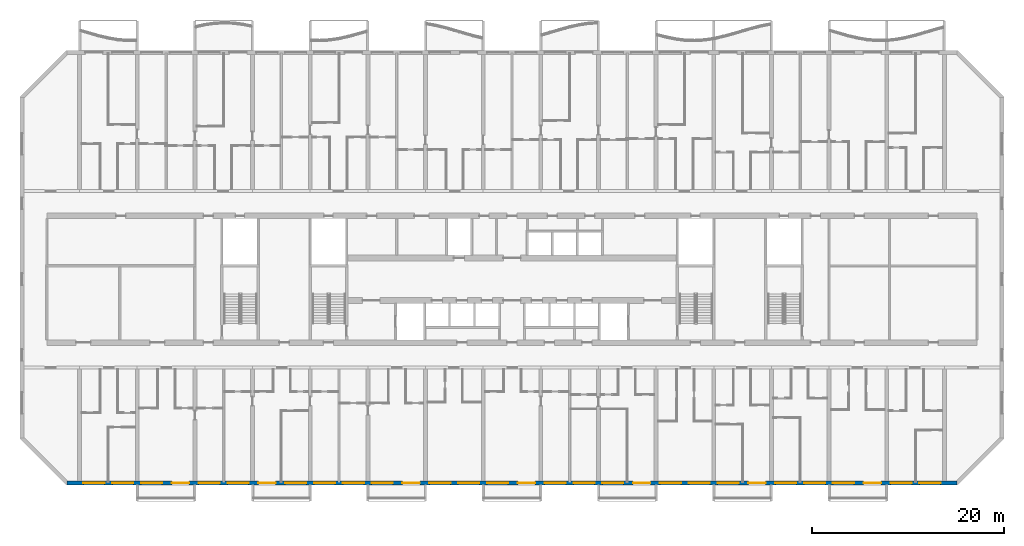
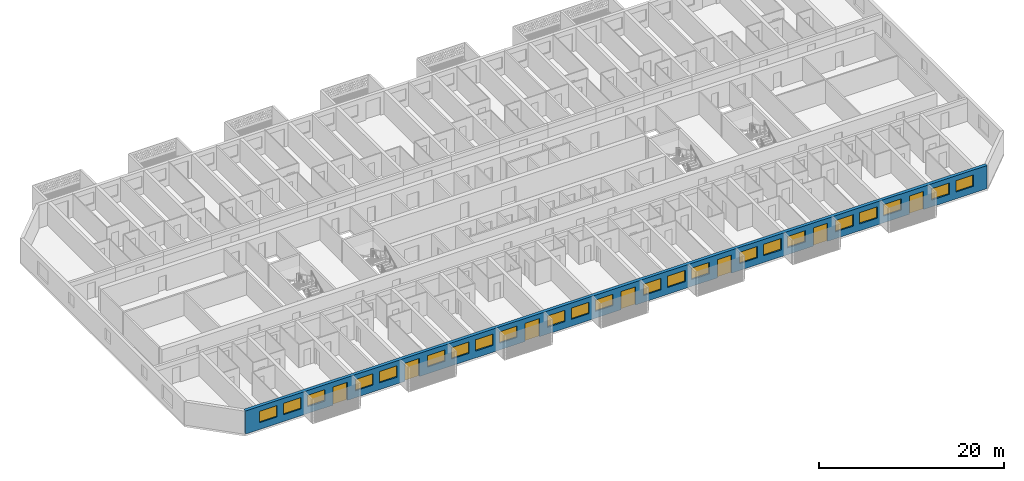
# One storey, part 5 of 38: 23 windows, 7 doors, 1 wall, 30 openings.
"""IFC4 building model written with IfcOpenShell, lengths in metres."""

import ifcopenshell
import ifcopenshell.guid

model = None  # the IFC model being written
_history = None  # IfcOwnerHistory: only IFC2X3 demands one
_inside = {}  # id of a spatial element -> (the spatial element, [elements in it])
_under = {}  # id of a project, library or spatial element -> (it, [spatial elements below it])
_declared = {}  # id of a project -> (the project, [libraries it declares])
_typed = {}  # id of a type object -> (the type object, [elements of that type])
_made_of = {}  # id of a material, layer set ... -> (it, [elements and type objects made of it])


def new_model(schema):
    """Start an empty IFC model of exactly this schema.

    Asked for "IFC4X3", IfcOpenShell would pick the latest addendum, in which some entities
    have other attributes; the version numbers below select the first issue.
    IFC2X3 requires an IfcOwnerHistory on every rooted entity: one is made here for all.
    """
    global model, _history
    if schema == "IFC4X3":
        model = ifcopenshell.file(schema_version=(4, 3, 0, 0))
    else:
        model = ifcopenshell.file(schema=schema)
    _inside.clear()
    _under.clear()
    _declared.clear()
    _typed.clear()
    _made_of.clear()
    _history = None
    if model.schema == "IFC2X3":
        org = make("IfcOrganization", Name="unknown")
        user = make(
            "IfcPersonAndOrganization",
            ThePerson=make("IfcPerson", FamilyName="unknown"),
            TheOrganization=org,
        )
        app = make(
            "IfcApplication",
            ApplicationDeveloper=org,
            Version="unknown",
            ApplicationFullName="unknown",
            ApplicationIdentifier="unknown",
        )
        _history = make(
            "IfcOwnerHistory",
            OwningUser=user,
            OwningApplication=app,
            ChangeAction="ADDED",
            CreationDate=0,
        )
    return model


def make(cls, **values):
    """One entity of the class cls with the attributes given. An attribute that is None is left unset."""
    return model.create_entity(
        cls, **{name: value for name, value in values.items() if value is not None}
    )


def rooted(cls, **values):
    """An entity with a GlobalId (a new one), such as an element, a storey or a relation."""
    return make(cls, GlobalId=ifcopenshell.guid.new(), OwnerHistory=_history, **values)


def si_unit(unit_type, name, prefix=None):
    """IfcSIUnit, for example si_unit("LENGTHUNIT", "METRE", prefix="MILLI")."""
    return make("IfcSIUnit", UnitType=unit_type, Prefix=prefix, Name=name)


def assignment(units):
    """IfcUnitAssignment: the units of a project."""
    return None if units is None else make("IfcUnitAssignment", Units=units)


def point(xyz):
    """IfcCartesianPoint."""
    return None if xyz is None else make("IfcCartesianPoint", Coordinates=xyz)


def direction(xyz):
    """IfcDirection."""
    return None if xyz is None else make("IfcDirection", DirectionRatios=xyz)


def frame(location, z_axis=None, x_axis=None):
    """IfcAxis2Placement3D, a coordinate frame: its origin and axes. An axis left out is left unset."""
    return make(
        "IfcAxis2Placement3D",
        Location=point(location),
        Axis=direction(z_axis),
        RefDirection=direction(x_axis),
    )


def frame_2d(location, x_axis=None):
    """IfcAxis2Placement2D, a coordinate frame in the plane: its origin and x axis."""
    return make(
        "IfcAxis2Placement2D", Location=point(location), RefDirection=direction(x_axis)
    )


def origin():
    """The frame at (0, 0, 0) with its axes left unset."""
    return frame((0.0, 0.0, 0.0))


def place(relative_to, where):
    """IfcLocalPlacement: puts the frame where relative to a parent placement (None: the world)."""
    return make(
        "IfcLocalPlacement", PlacementRelTo=relative_to, RelativePlacement=where
    )


def context(
    kind, dimensions, precision=None, world=None, true_north=None, identifier=None
):
    """IfcGeometricRepresentationContext, for example the 3D "Model" context."""
    return make(
        "IfcGeometricRepresentationContext",
        ContextIdentifier=identifier,
        ContextType=kind,
        CoordinateSpaceDimension=dimensions,
        Precision=precision,
        WorldCoordinateSystem=world,
        TrueNorth=true_north,
    )


def subcontext(parent, identifier, kind, view, scale=None):
    """IfcGeometricRepresentationSubContext, for example "Body" below "Model"."""
    return make(
        "IfcGeometricRepresentationSubContext",
        ContextIdentifier=identifier,
        ContextType=kind,
        ParentContext=parent,
        TargetScale=scale,
        TargetView=view,
    )


def project(units=None, contexts=None):
    """IfcProject with its units and contexts."""
    return rooted(
        "IfcProject",
        Name="project",
        RepresentationContexts=contexts,
        UnitsInContext=assignment(units),
    )


def spatial(cls, under=None, at=None, **own):
    """A site, building, storey or space (cls), placed at a placement, below another one or the project."""
    s = rooted(cls, ObjectPlacement=at, **own)
    if under is not None:
        _under.setdefault(under.id(), (under, []))[1].append(s)
    return s


def profile(cls, at=None, kind="AREA", **sizes):
    """A parametric profile (cls). Its sizes go by their IFC names, for example OverallWidth=200.0."""
    return make(cls, ProfileType=kind, Position=at, **sizes)


def rectangle(**sizes):
    """IfcRectangleProfileDef."""
    return profile("IfcRectangleProfileDef", **sizes)


def extrude(swept, where, along, depth):
    """IfcExtrudedAreaSolid: the profile swept, set in the frame where, extruded along a direction by depth."""
    return make(
        "IfcExtrudedAreaSolid",
        SweptArea=swept,
        Position=where,
        ExtrudedDirection=direction(along),
        Depth=depth,
    )


def shape(context_of_items, identifier, shape_type, items):
    """IfcShapeRepresentation: the items that make up one representation, for example the "Body"."""
    return make(
        "IfcShapeRepresentation",
        ContextOfItems=context_of_items,
        RepresentationIdentifier=identifier,
        RepresentationType=shape_type,
        Items=items,
    )


def material(Name=None, Category=None):
    """IfcMaterial."""
    return make("IfcMaterial", Name=Name, Category=Category)


def layer(
    of_material, thickness, ventilated=None, Name=None, Category=None, Priority=None
):
    """IfcMaterialLayer: one layer of a wall or slab, of a material (None: an air gap)."""
    return make(
        "IfcMaterialLayer",
        Material=of_material,
        LayerThickness=thickness,
        IsVentilated=ventilated,
        Name=Name,
        Category=Category,
        Priority=Priority,
    )


def layer_set(layers, Name=None):
    """IfcMaterialLayerSet."""
    return make("IfcMaterialLayerSet", MaterialLayers=layers, LayerSetName=Name)


def made_of(thing, what):
    """Note that an element or type object is made of a material, layer set ...; save() writes the relation."""
    if what is not None:
        _made_of.setdefault(what.id(), (what, []))[1].append(thing)
    return thing


def type_object(cls, material=None, **own):
    """A type object (cls), such as IfcWallType, which elements share."""
    return made_of(rooted(cls, **own), material)


def element(
    cls,
    number,
    at=None,
    inside=None,
    cuts=None,
    type_object=None,
    material=None,
    context=None,
    identifier="Body",
    shape_type=None,
    held_by="IfcProductDefinitionShape",
    body=None,
    shapes=None,
    **own,
):
    """One element of the class cls, such as IfcWall. Its Tag is "e" and its number.

    at: its placement. inside: the storey or other place that contains it. cuts: it is an
    opening in that element (IfcRelVoidsElement). A single representation is given by context,
    identifier, shape_type and body (its items); several are given by shapes. held_by: the class
    of the entity that holds the representations. save() writes the other relations.
    """
    e = rooted(cls, Tag="e%d" % number, ObjectPlacement=at, **own)
    if body is not None:
        shapes = [shape(context, identifier, shape_type, body)]
    if shapes is not None:
        e.Representation = make(held_by, Representations=shapes)
    if inside is not None:
        _inside.setdefault(inside.id(), (inside, []))[1].append(e)
    if cuts is not None:
        rooted(
            "IfcRelVoidsElement", RelatingBuildingElement=cuts, RelatedOpeningElement=e
        )
    if type_object is not None:
        _typed.setdefault(type_object.id(), (type_object, []))[1].append(e)
    return made_of(e, material)


def fill(opening, filler):
    """IfcRelFillsElement: the door or window that sits in an opening."""
    return rooted(
        "IfcRelFillsElement",
        RelatingOpeningElement=opening,
        RelatedBuildingElement=filler,
    )


def aggregate(whole, parts):
    """IfcRelAggregates: a whole, such as a stair, and the parts it consists of."""
    return rooted("IfcRelAggregates", RelatingObject=whole, RelatedObjects=parts)


def save(model, path):
    """Write the relations noted so far, then the file.

    IfcRelAggregates (storeys below a building ...), IfcRelContainedInSpatialStructure (elements
    in a storey), IfcRelDefinesByType, IfcRelAssociatesMaterial and IfcRelDeclares: one each for
    every whole, place, type object, material and project.
    """
    for whole, parts in _under.values():
        aggregate(whole, parts)
    for where, things in _inside.values():
        rooted(
            "IfcRelContainedInSpatialStructure",
            RelatedElements=things,
            RelatingStructure=where,
        )
    for kind, things in _typed.values():
        rooted("IfcRelDefinesByType", RelatedObjects=things, RelatingType=kind)
    for what, things in _made_of.values():
        rooted("IfcRelAssociatesMaterial", RelatedObjects=things, RelatingMaterial=what)
    for by, libraries in _declared.values():
        rooted("IfcRelDeclares", RelatingContext=by, RelatedDefinitions=libraries)
    model.write(path)


model = new_model("IFC4")

# Units and contexts
model_context = context("Model", 3, precision=1e-05, world=origin(), true_north=direction((0.0, 1.0)))
body_context = subcontext(model_context, "Body", "Model", "MODEL_VIEW")
ifc_project = project(units=[si_unit("LENGTHUNIT", "METRE"), si_unit("AREAUNIT", "SQUARE_METRE"), si_unit("VOLUMEUNIT", "CUBIC_METRE"), si_unit("PLANEANGLEUNIT", "RADIAN"), si_unit("MASSUNIT", "GRAM", prefix="KILO")], contexts=[model_context])

# Site, building, storey
site_placement = place(None, origin())
site = spatial("IfcSite", under=ifc_project, at=site_placement, CompositionType="ELEMENT")
building_placement = place(site_placement, origin())
building = spatial("IfcBuilding", under=site, at=building_placement, Name="Poui Terraces", CompositionType="ELEMENT")
storey_placement = place(building_placement, frame((0.0, 0.0, 43.199951171875)))
storey = spatial("IfcBuildingStorey", under=building, at=storey_placement, Name="L11", CompositionType="ELEMENT", Elevation=43.199951171875)

# Wall, openings, doors, windows
ifc_material_1 = material(Name="Precast concrete 40 MPa", Category="concrete")
ifc_layer = layer(ifc_material_1, 0.39990234375)
ifc_layer_set = layer_set([ifc_layer], Name="Precast concrete 40 MPa")
wall_type = type_object("IfcWallType", Name="EXTERNAL WALL 400", PredefinedType="STANDARD", material=ifc_layer_set)
wall_placement = place(storey_placement, frame((4.682861328125, 0.0, 0.0), z_axis=(0.0, 0.0, 1.0), x_axis=(1.0, 0.0, 0.0)))
wall = element("IfcWall", 1, at=wall_placement, inside=storey, type_object=wall_type, Name="EXTERNAL WALL S", PredefinedType="STANDARD", context=body_context, shape_type="SweptSolid", body=[
    extrude(rectangle(XDim=92.63427734375, YDim=0.39990234375, at=frame_2d((46.317138671875, 0.0))), origin(), (0.0, 0.0, 1.0), 3.050048828125),
])
opening_1_placement = place(wall_placement, frame((1.71728515625, 0.0, 0.89990234375)))
opening_1 = element("IfcOpeningElement", 2, at=opening_1_placement, cuts=wall, Name="Opening W1", PredefinedType="OPENING", context=body_context, shape_type="SweptSolid", body=[
    extrude(rectangle(XDim=2.199951171875, YDim=1.5, at=frame_2d((1.10009765625, 0.75))), frame((0.0, 0.2099609375, 0.0), z_axis=(0.0, -1.0, 0.0), x_axis=(1.0, 0.0, 0.0)), (0.0, 0.0, 1.0), 0.419921875),
])
opening_2_placement = place(wall_placement, frame((4.71728515625, 0.0, 0.89990234375)))
opening_2 = element("IfcOpeningElement", 3, at=opening_2_placement, cuts=wall, Name="Opening W1", PredefinedType="OPENING", context=body_context, shape_type="SweptSolid", body=[
    extrude(rectangle(XDim=2.199951171875, YDim=1.5, at=frame_2d((1.10009765625, 0.75))), frame((0.0, 0.2099609375, 0.0), z_axis=(0.0, -1.0, 0.0), x_axis=(1.0, 0.0, 0.0)), (0.0, 0.0, 1.0), 0.419921875),
])
opening_3_placement = place(wall_placement, frame((7.71728515625, 0.0, 0.89990234375)))
opening_3 = element("IfcOpeningElement", 4, at=opening_3_placement, cuts=wall, Name="Opening W1", PredefinedType="OPENING", context=body_context, shape_type="SweptSolid", body=[
    extrude(rectangle(XDim=2.199951171875, YDim=1.5, at=frame_2d((1.10009765625, 0.75))), frame((0.0, 0.2099609375, 0.0), z_axis=(0.0, -1.0, 0.0), x_axis=(1.0, 0.0, 0.0)), (0.0, 0.0, 1.0), 0.419921875),
])
opening_4_placement = place(wall_placement, frame((10.917236328125, 0.0, 0.0)))
opening_4 = element("IfcOpeningElement", 5, at=opening_4_placement, cuts=wall, Name="Opening BD1", PredefinedType="OPENING", context=body_context, shape_type="SweptSolid", body=[
    extrude(rectangle(XDim=1.800048828125, YDim=2.39990234375, at=frame_2d((0.89990234375, 1.199951171875))), frame((0.0, 0.2099609375, 0.0), z_axis=(0.0, -1.0, 0.0), x_axis=(1.0, 0.0, 0.0)), (0.0, 0.0, 1.0), 0.419921875),
])
opening_5_placement = place(wall_placement, frame((13.71728515625, 0.0, 0.89990234375)))
opening_5 = element("IfcOpeningElement", 6, at=opening_5_placement, cuts=wall, Name="Opening W1", PredefinedType="OPENING", context=body_context, shape_type="SweptSolid", body=[
    extrude(rectangle(XDim=2.199951171875, YDim=1.5, at=frame_2d((1.10009765625, 0.75))), frame((0.0, 0.2099609375, 0.0), z_axis=(0.0, -1.0, 0.0), x_axis=(1.0, 0.0, 0.0)), (0.0, 0.0, 1.0), 0.419921875),
])
opening_6_placement = place(wall_placement, frame((16.71728515625, 0.0, 0.89990234375)))
opening_6 = element("IfcOpeningElement", 7, at=opening_6_placement, cuts=wall, Name="Opening W1", PredefinedType="OPENING", context=body_context, shape_type="SweptSolid", body=[
    extrude(rectangle(XDim=2.199951171875, YDim=1.5, at=frame_2d((1.10009765625, 0.75))), frame((0.0, 0.2099609375, 0.0), z_axis=(0.0, -1.0, 0.0), x_axis=(1.0, 0.0, 0.0)), (0.0, 0.0, 1.0), 0.419921875),
])
opening_7_placement = place(wall_placement, frame((19.917236328125, 0.0, 0.0)))
opening_7 = element("IfcOpeningElement", 8, at=opening_7_placement, cuts=wall, Name="Opening BD1", PredefinedType="OPENING", context=body_context, shape_type="SweptSolid", body=[
    extrude(rectangle(XDim=1.800048828125, YDim=2.39990234375, at=frame_2d((0.89990234375, 1.199951171875))), frame((0.0, 0.2099609375, 0.0), z_axis=(0.0, -1.0, 0.0), x_axis=(1.0, 0.0, 0.0)), (0.0, 0.0, 1.0), 0.419921875),
])
opening_8_placement = place(wall_placement, frame((22.71728515625, 0.0, 0.89990234375)))
opening_8 = element("IfcOpeningElement", 9, at=opening_8_placement, cuts=wall, Name="Opening W1", PredefinedType="OPENING", context=body_context, shape_type="SweptSolid", body=[
    extrude(rectangle(XDim=2.199951171875, YDim=1.5, at=frame_2d((1.10009765625, 0.75))), frame((0.0, 0.2099609375, 0.0), z_axis=(0.0, -1.0, 0.0), x_axis=(1.0, 0.0, 0.0)), (0.0, 0.0, 1.0), 0.419921875),
])
opening_9_placement = place(wall_placement, frame((25.71728515625, 0.0, 0.89990234375)))
opening_9 = element("IfcOpeningElement", 10, at=opening_9_placement, cuts=wall, Name="Opening W1", PredefinedType="OPENING", context=body_context, shape_type="SweptSolid", body=[
    extrude(rectangle(XDim=2.199951171875, YDim=1.5, at=frame_2d((1.10009765625, 0.75))), frame((0.0, 0.2099609375, 0.0), z_axis=(0.0, -1.0, 0.0), x_axis=(1.0, 0.0, 0.0)), (0.0, 0.0, 1.0), 0.419921875),
])
opening_10_placement = place(wall_placement, frame((28.71728515625, 0.0, 0.89990234375)))
opening_10 = element("IfcOpeningElement", 11, at=opening_10_placement, cuts=wall, Name="Opening W1", PredefinedType="OPENING", context=body_context, shape_type="SweptSolid", body=[
    extrude(rectangle(XDim=2.199951171875, YDim=1.5, at=frame_2d((1.10009765625, 0.75))), frame((0.0, 0.2099609375, 0.0), z_axis=(0.0, -1.0, 0.0), x_axis=(1.0, 0.0, 0.0)), (0.0, 0.0, 1.0), 0.419921875),
])
opening_11_placement = place(wall_placement, frame((31.71728515625, 0.0, 0.89990234375)))
opening_11 = element("IfcOpeningElement", 12, at=opening_11_placement, cuts=wall, Name="Opening W1", PredefinedType="OPENING", context=body_context, shape_type="SweptSolid", body=[
    extrude(rectangle(XDim=2.199951171875, YDim=1.5, at=frame_2d((1.10009765625, 0.75))), frame((0.0, 0.2099609375, 0.0), z_axis=(0.0, -1.0, 0.0), x_axis=(1.0, 0.0, 0.0)), (0.0, 0.0, 1.0), 0.419921875),
])
opening_12_placement = place(wall_placement, frame((34.917236328125, 0.0, 0.0)))
opening_12 = element("IfcOpeningElement", 13, at=opening_12_placement, cuts=wall, Name="Opening BD1", PredefinedType="OPENING", context=body_context, shape_type="SweptSolid", body=[
    extrude(rectangle(XDim=1.800048828125, YDim=2.39990234375, at=frame_2d((0.89990234375, 1.199951171875))), frame((0.0, 0.2099609375, 0.0), z_axis=(0.0, -1.0, 0.0), x_axis=(1.0, 0.0, 0.0)), (0.0, 0.0, 1.0), 0.419921875),
])
opening_13_placement = place(wall_placement, frame((37.71728515625, 0.0, 0.89990234375)))
opening_13 = element("IfcOpeningElement", 14, at=opening_13_placement, cuts=wall, Name="Opening W1", PredefinedType="OPENING", context=body_context, shape_type="SweptSolid", body=[
    extrude(rectangle(XDim=2.199951171875, YDim=1.5, at=frame_2d((1.10009765625, 0.75))), frame((0.0, 0.2099609375, 0.0), z_axis=(0.0, -1.0, 0.0), x_axis=(1.0, 0.0, 0.0)), (0.0, 0.0, 1.0), 0.419921875),
])
opening_14_placement = place(wall_placement, frame((40.71728515625, 0.0, 0.89990234375)))
opening_14 = element("IfcOpeningElement", 15, at=opening_14_placement, cuts=wall, Name="Opening W1", PredefinedType="OPENING", context=body_context, shape_type="SweptSolid", body=[
    extrude(rectangle(XDim=2.199951171875, YDim=1.5, at=frame_2d((1.10009765625, 0.75))), frame((0.0, 0.2099609375, 0.0), z_axis=(0.0, -1.0, 0.0), x_axis=(1.0, 0.0, 0.0)), (0.0, 0.0, 1.0), 0.419921875),
])
opening_15_placement = place(wall_placement, frame((43.71728515625, 0.0, 0.89990234375)))
opening_15 = element("IfcOpeningElement", 16, at=opening_15_placement, cuts=wall, Name="Opening W1", PredefinedType="OPENING", context=body_context, shape_type="SweptSolid", body=[
    extrude(rectangle(XDim=2.199951171875, YDim=1.5, at=frame_2d((1.10009765625, 0.75))), frame((0.0, 0.2099609375, 0.0), z_axis=(0.0, -1.0, 0.0), x_axis=(1.0, 0.0, 0.0)), (0.0, 0.0, 1.0), 0.419921875),
])
opening_16_placement = place(wall_placement, frame((46.917236328125, 0.0, 0.0)))
opening_16 = element("IfcOpeningElement", 17, at=opening_16_placement, cuts=wall, Name="Opening BD1", PredefinedType="OPENING", context=body_context, shape_type="SweptSolid", body=[
    extrude(rectangle(XDim=1.800048828125, YDim=2.39990234375, at=frame_2d((0.89990234375, 1.199951171875))), frame((0.0, 0.2099609375, 0.0), z_axis=(0.0, -1.0, 0.0), x_axis=(1.0, 0.0, 0.0)), (0.0, 0.0, 1.0), 0.419921875),
])
opening_17_placement = place(wall_placement, frame((49.71728515625, 0.0, 0.89990234375)))
opening_17 = element("IfcOpeningElement", 18, at=opening_17_placement, cuts=wall, Name="Opening W1", PredefinedType="OPENING", context=body_context, shape_type="SweptSolid", body=[
    extrude(rectangle(XDim=2.199951171875, YDim=1.5, at=frame_2d((1.10009765625, 0.75))), frame((0.0, 0.2099609375, 0.0), z_axis=(0.0, -1.0, 0.0), x_axis=(1.0, 0.0, 0.0)), (0.0, 0.0, 1.0), 0.419921875),
])
opening_18_placement = place(wall_placement, frame((52.71728515625, 0.0, 0.89990234375)))
opening_18 = element("IfcOpeningElement", 19, at=opening_18_placement, cuts=wall, Name="Opening W1", PredefinedType="OPENING", context=body_context, shape_type="SweptSolid", body=[
    extrude(rectangle(XDim=2.199951171875, YDim=1.5, at=frame_2d((1.10009765625, 0.75))), frame((0.0, 0.2099609375, 0.0), z_axis=(0.0, -1.0, 0.0), x_axis=(1.0, 0.0, 0.0)), (0.0, 0.0, 1.0), 0.419921875),
])
opening_19_placement = place(wall_placement, frame((55.71728515625, 0.0, 0.89990234375)))
opening_19 = element("IfcOpeningElement", 20, at=opening_19_placement, cuts=wall, Name="Opening W1", PredefinedType="OPENING", context=body_context, shape_type="SweptSolid", body=[
    extrude(rectangle(XDim=2.199951171875, YDim=1.5, at=frame_2d((1.10009765625, 0.75))), frame((0.0, 0.2099609375, 0.0), z_axis=(0.0, -1.0, 0.0), x_axis=(1.0, 0.0, 0.0)), (0.0, 0.0, 1.0), 0.419921875),
])
opening_20_placement = place(wall_placement, frame((58.917236328125, 0.0, 0.0)))
opening_20 = element("IfcOpeningElement", 21, at=opening_20_placement, cuts=wall, Name="Opening BD1", PredefinedType="OPENING", context=body_context, shape_type="SweptSolid", body=[
    extrude(rectangle(XDim=1.800048828125, YDim=2.39990234375, at=frame_2d((0.89990234375, 1.199951171875))), frame((0.0, 0.2099609375, 0.0), z_axis=(0.0, -1.0, 0.0), x_axis=(1.0, 0.0, 0.0)), (0.0, 0.0, 1.0), 0.419921875),
])
opening_21_placement = place(wall_placement, frame((61.71728515625, 0.0, 0.89990234375)))
opening_21 = element("IfcOpeningElement", 22, at=opening_21_placement, cuts=wall, Name="Opening W1", PredefinedType="OPENING", context=body_context, shape_type="SweptSolid", body=[
    extrude(rectangle(XDim=2.199951171875, YDim=1.5, at=frame_2d((1.10009765625, 0.75))), frame((0.0, 0.2099609375, 0.0), z_axis=(0.0, -1.0, 0.0), x_axis=(1.0, 0.0, 0.0)), (0.0, 0.0, 1.0), 0.419921875),
])
opening_22_placement = place(wall_placement, frame((64.71728515625, 0.0, 0.89990234375)))
opening_22 = element("IfcOpeningElement", 23, at=opening_22_placement, cuts=wall, Name="Opening W1", PredefinedType="OPENING", context=body_context, shape_type="SweptSolid", body=[
    extrude(rectangle(XDim=2.199951171875, YDim=1.5, at=frame_2d((1.10009765625, 0.75))), frame((0.0, 0.2099609375, 0.0), z_axis=(0.0, -1.0, 0.0), x_axis=(1.0, 0.0, 0.0)), (0.0, 0.0, 1.0), 0.419921875),
])
opening_23_placement = place(wall_placement, frame((67.71728515625, 0.0, 0.89990234375)))
opening_23 = element("IfcOpeningElement", 24, at=opening_23_placement, cuts=wall, Name="Opening W1", PredefinedType="OPENING", context=body_context, shape_type="SweptSolid", body=[
    extrude(rectangle(XDim=2.199951171875, YDim=1.5, at=frame_2d((1.10009765625, 0.75))), frame((0.0, 0.2099609375, 0.0), z_axis=(0.0, -1.0, 0.0), x_axis=(1.0, 0.0, 0.0)), (0.0, 0.0, 1.0), 0.419921875),
])
opening_24_placement = place(wall_placement, frame((70.917236328125, 0.0, 0.0)))
opening_24 = element("IfcOpeningElement", 25, at=opening_24_placement, cuts=wall, Name="Opening BD1", PredefinedType="OPENING", context=body_context, shape_type="SweptSolid", body=[
    extrude(rectangle(XDim=1.800048828125, YDim=2.39990234375, at=frame_2d((0.89990234375, 1.199951171875))), frame((0.0, 0.2099609375, 0.0), z_axis=(0.0, -1.0, 0.0), x_axis=(1.0, 0.0, 0.0)), (0.0, 0.0, 1.0), 0.419921875),
])
opening_25_placement = place(wall_placement, frame((73.71728515625, 0.0, 0.89990234375)))
opening_25 = element("IfcOpeningElement", 26, at=opening_25_placement, cuts=wall, Name="Opening W1", PredefinedType="OPENING", context=body_context, shape_type="SweptSolid", body=[
    extrude(rectangle(XDim=2.199951171875, YDim=1.5, at=frame_2d((1.10009765625, 0.75))), frame((0.0, 0.2099609375, 0.0), z_axis=(0.0, -1.0, 0.0), x_axis=(1.0, 0.0, 0.0)), (0.0, 0.0, 1.0), 0.419921875),
])
opening_26_placement = place(wall_placement, frame((76.71728515625, 0.0, 0.89990234375)))
opening_26 = element("IfcOpeningElement", 27, at=opening_26_placement, cuts=wall, Name="Opening W1", PredefinedType="OPENING", context=body_context, shape_type="SweptSolid", body=[
    extrude(rectangle(XDim=2.199951171875, YDim=1.5, at=frame_2d((1.10009765625, 0.75))), frame((0.0, 0.2099609375, 0.0), z_axis=(0.0, -1.0, 0.0), x_axis=(1.0, 0.0, 0.0)), (0.0, 0.0, 1.0), 0.419921875),
])
opening_27_placement = place(wall_placement, frame((79.71728515625, 0.0, 0.89990234375)))
opening_27 = element("IfcOpeningElement", 28, at=opening_27_placement, cuts=wall, Name="Opening W1", PredefinedType="OPENING", context=body_context, shape_type="SweptSolid", body=[
    extrude(rectangle(XDim=2.199951171875, YDim=1.5, at=frame_2d((1.10009765625, 0.75))), frame((0.0, 0.2099609375, 0.0), z_axis=(0.0, -1.0, 0.0), x_axis=(1.0, 0.0, 0.0)), (0.0, 0.0, 1.0), 0.419921875),
])
opening_28_placement = place(wall_placement, frame((82.917236328125, 0.0, 0.0)))
opening_28 = element("IfcOpeningElement", 29, at=opening_28_placement, cuts=wall, Name="Opening BD1", PredefinedType="OPENING", context=body_context, shape_type="SweptSolid", body=[
    extrude(rectangle(XDim=1.800048828125, YDim=2.39990234375, at=frame_2d((0.89990234375, 1.199951171875))), frame((0.0, 0.2099609375, 0.0), z_axis=(0.0, -1.0, 0.0), x_axis=(1.0, 0.0, 0.0)), (0.0, 0.0, 1.0), 0.419921875),
])
opening_29_placement = place(wall_placement, frame((85.71728515625, 0.0, 0.89990234375)))
opening_29 = element("IfcOpeningElement", 30, at=opening_29_placement, cuts=wall, Name="Opening W1", PredefinedType="OPENING", context=body_context, shape_type="SweptSolid", body=[
    extrude(rectangle(XDim=2.199951171875, YDim=1.5, at=frame_2d((1.10009765625, 0.75))), frame((0.0, 0.2099609375, 0.0), z_axis=(0.0, -1.0, 0.0), x_axis=(1.0, 0.0, 0.0)), (0.0, 0.0, 1.0), 0.419921875),
])
opening_30_placement = place(wall_placement, frame((88.71728515625, 0.0, 0.89990234375)))
opening_30 = element("IfcOpeningElement", 31, at=opening_30_placement, cuts=wall, Name="Opening W1", PredefinedType="OPENING", context=body_context, shape_type="SweptSolid", body=[
    extrude(rectangle(XDim=2.199951171875, YDim=1.5, at=frame_2d((1.10009765625, 0.75))), frame((0.0, 0.2099609375, 0.0), z_axis=(0.0, -1.0, 0.0), x_axis=(1.0, 0.0, 0.0)), (0.0, 0.0, 1.0), 0.419921875),
])
ifc_material_2 = material(Name="Clear glass in aluminium frame", Category="aluminium")
door_type = type_object("IfcDoorType", Name="BALCONY DOOR 1800X2400", OperationType="DOUBLE_DOOR_SLIDING", PredefinedType="DOOR", material=ifc_material_2)
door_1_placement = place(opening_4_placement, origin())
door_1 = element("IfcDoor", 32, at=door_1_placement, inside=storey, type_object=door_type, Name="BD1 BALCONY DOOR", OperationType="DOUBLE_DOOR_SLIDING", OverallHeight=2.39990234375, OverallWidth=1.800048828125, PredefinedType="DOOR", context=body_context, shape_type="SweptSolid", body=[
    extrude(rectangle(XDim=1.800048828125, YDim=2.39990234375, at=frame_2d((0.89990234375, 1.199951171875))), frame((0.0, 0.02490234375, 0.0), z_axis=(0.0, -1.0, 0.0), x_axis=(1.0, 0.0, 0.0)), (0.0, 0.0, 1.0), 0.050048828125),
])
fill(opening_4, door_1)
door_2_placement = place(opening_7_placement, origin())
door_2 = element("IfcDoor", 33, at=door_2_placement, inside=storey, type_object=door_type, Name="BD1 BALCONY DOOR", OperationType="DOUBLE_DOOR_SLIDING", OverallHeight=2.39990234375, OverallWidth=1.800048828125, PredefinedType="DOOR", context=body_context, shape_type="SweptSolid", body=[
    extrude(rectangle(XDim=1.800048828125, YDim=2.39990234375, at=frame_2d((0.89990234375, 1.199951171875))), frame((0.0, 0.02490234375, 0.0), z_axis=(0.0, -1.0, 0.0), x_axis=(1.0, 0.0, 0.0)), (0.0, 0.0, 1.0), 0.050048828125),
])
fill(opening_7, door_2)
door_3_placement = place(opening_12_placement, origin())
door_3 = element("IfcDoor", 34, at=door_3_placement, inside=storey, type_object=door_type, Name="BD1 BALCONY DOOR", OperationType="DOUBLE_DOOR_SLIDING", OverallHeight=2.39990234375, OverallWidth=1.800048828125, PredefinedType="DOOR", context=body_context, shape_type="SweptSolid", body=[
    extrude(rectangle(XDim=1.800048828125, YDim=2.39990234375, at=frame_2d((0.89990234375, 1.199951171875))), frame((0.0, 0.02490234375, 0.0), z_axis=(0.0, -1.0, 0.0), x_axis=(1.0, 0.0, 0.0)), (0.0, 0.0, 1.0), 0.050048828125),
])
fill(opening_12, door_3)
door_4_placement = place(opening_16_placement, origin())
door_4 = element("IfcDoor", 35, at=door_4_placement, inside=storey, type_object=door_type, Name="BD1 BALCONY DOOR", OperationType="DOUBLE_DOOR_SLIDING", OverallHeight=2.39990234375, OverallWidth=1.800048828125, PredefinedType="DOOR", context=body_context, shape_type="SweptSolid", body=[
    extrude(rectangle(XDim=1.800048828125, YDim=2.39990234375, at=frame_2d((0.89990234375, 1.199951171875))), frame((0.0, 0.02490234375, 0.0), z_axis=(0.0, -1.0, 0.0), x_axis=(1.0, 0.0, 0.0)), (0.0, 0.0, 1.0), 0.050048828125),
])
fill(opening_16, door_4)
door_5_placement = place(opening_20_placement, origin())
door_5 = element("IfcDoor", 36, at=door_5_placement, inside=storey, type_object=door_type, Name="BD1 BALCONY DOOR", OperationType="DOUBLE_DOOR_SLIDING", OverallHeight=2.39990234375, OverallWidth=1.800048828125, PredefinedType="DOOR", context=body_context, shape_type="SweptSolid", body=[
    extrude(rectangle(XDim=1.800048828125, YDim=2.39990234375, at=frame_2d((0.89990234375, 1.199951171875))), frame((0.0, 0.02490234375, 0.0), z_axis=(0.0, -1.0, 0.0), x_axis=(1.0, 0.0, 0.0)), (0.0, 0.0, 1.0), 0.050048828125),
])
fill(opening_20, door_5)
door_6_placement = place(opening_24_placement, origin())
door_6 = element("IfcDoor", 37, at=door_6_placement, inside=storey, type_object=door_type, Name="BD1 BALCONY DOOR", OperationType="DOUBLE_DOOR_SLIDING", OverallHeight=2.39990234375, OverallWidth=1.800048828125, PredefinedType="DOOR", context=body_context, shape_type="SweptSolid", body=[
    extrude(rectangle(XDim=1.800048828125, YDim=2.39990234375, at=frame_2d((0.89990234375, 1.199951171875))), frame((0.0, 0.02490234375, 0.0), z_axis=(0.0, -1.0, 0.0), x_axis=(1.0, 0.0, 0.0)), (0.0, 0.0, 1.0), 0.050048828125),
])
fill(opening_24, door_6)
door_7_placement = place(opening_28_placement, origin())
door_7 = element("IfcDoor", 38, at=door_7_placement, inside=storey, type_object=door_type, Name="BD1 BALCONY DOOR", OperationType="DOUBLE_DOOR_SLIDING", OverallHeight=2.39990234375, OverallWidth=1.800048828125, PredefinedType="DOOR", context=body_context, shape_type="SweptSolid", body=[
    extrude(rectangle(XDim=1.800048828125, YDim=2.39990234375, at=frame_2d((0.89990234375, 1.199951171875))), frame((0.0, 0.02490234375, 0.0), z_axis=(0.0, -1.0, 0.0), x_axis=(1.0, 0.0, 0.0)), (0.0, 0.0, 1.0), 0.050048828125),
])
fill(opening_28, door_7)
window_type = type_object("IfcWindowType", Name="WINDOW 2200X1500", PartitioningType="DOUBLE_PANEL_HORIZONTAL", PredefinedType="WINDOW", material=ifc_material_2)
window_1_placement = place(opening_1_placement, origin())
window_1 = element("IfcWindow", 39, at=window_1_placement, inside=storey, type_object=window_type, Name="W1 WINDOW", OverallHeight=1.5, OverallWidth=2.199951171875, PartitioningType="DOUBLE_PANEL_HORIZONTAL", PredefinedType="WINDOW", context=body_context, shape_type="SweptSolid", body=[
    extrude(rectangle(XDim=2.199951171875, YDim=1.5, at=frame_2d((1.10009765625, 0.75))), frame((0.0, 0.030029296875, 0.0), z_axis=(0.0, -1.0, 0.0), x_axis=(1.0, 0.0, 0.0)), (0.0, 0.0, 1.0), 0.06005859375),
])
fill(opening_1, window_1)
window_2_placement = place(opening_2_placement, origin())
window_2 = element("IfcWindow", 40, at=window_2_placement, inside=storey, type_object=window_type, Name="W1 WINDOW", OverallHeight=1.5, OverallWidth=2.199951171875, PartitioningType="DOUBLE_PANEL_HORIZONTAL", PredefinedType="WINDOW", context=body_context, shape_type="SweptSolid", body=[
    extrude(rectangle(XDim=2.199951171875, YDim=1.5, at=frame_2d((1.10009765625, 0.75))), frame((0.0, 0.030029296875, 0.0), z_axis=(0.0, -1.0, 0.0), x_axis=(1.0, 0.0, 0.0)), (0.0, 0.0, 1.0), 0.06005859375),
])
fill(opening_2, window_2)
window_3_placement = place(opening_3_placement, origin())
window_3 = element("IfcWindow", 41, at=window_3_placement, inside=storey, type_object=window_type, Name="W1 WINDOW", OverallHeight=1.5, OverallWidth=2.199951171875, PartitioningType="DOUBLE_PANEL_HORIZONTAL", PredefinedType="WINDOW", context=body_context, shape_type="SweptSolid", body=[
    extrude(rectangle(XDim=2.199951171875, YDim=1.5, at=frame_2d((1.10009765625, 0.75))), frame((0.0, 0.030029296875, 0.0), z_axis=(0.0, -1.0, 0.0), x_axis=(1.0, 0.0, 0.0)), (0.0, 0.0, 1.0), 0.06005859375),
])
fill(opening_3, window_3)
window_4_placement = place(opening_5_placement, origin())
window_4 = element("IfcWindow", 42, at=window_4_placement, inside=storey, type_object=window_type, Name="W1 WINDOW", OverallHeight=1.5, OverallWidth=2.199951171875, PartitioningType="DOUBLE_PANEL_HORIZONTAL", PredefinedType="WINDOW", context=body_context, shape_type="SweptSolid", body=[
    extrude(rectangle(XDim=2.199951171875, YDim=1.5, at=frame_2d((1.10009765625, 0.75))), frame((0.0, 0.030029296875, 0.0), z_axis=(0.0, -1.0, 0.0), x_axis=(1.0, 0.0, 0.0)), (0.0, 0.0, 1.0), 0.06005859375),
])
fill(opening_5, window_4)
window_5_placement = place(opening_6_placement, origin())
window_5 = element("IfcWindow", 43, at=window_5_placement, inside=storey, type_object=window_type, Name="W1 WINDOW", OverallHeight=1.5, OverallWidth=2.199951171875, PartitioningType="DOUBLE_PANEL_HORIZONTAL", PredefinedType="WINDOW", context=body_context, shape_type="SweptSolid", body=[
    extrude(rectangle(XDim=2.199951171875, YDim=1.5, at=frame_2d((1.10009765625, 0.75))), frame((0.0, 0.030029296875, 0.0), z_axis=(0.0, -1.0, 0.0), x_axis=(1.0, 0.0, 0.0)), (0.0, 0.0, 1.0), 0.06005859375),
])
fill(opening_6, window_5)
window_6_placement = place(opening_8_placement, origin())
window_6 = element("IfcWindow", 44, at=window_6_placement, inside=storey, type_object=window_type, Name="W1 WINDOW", OverallHeight=1.5, OverallWidth=2.199951171875, PartitioningType="DOUBLE_PANEL_HORIZONTAL", PredefinedType="WINDOW", context=body_context, shape_type="SweptSolid", body=[
    extrude(rectangle(XDim=2.199951171875, YDim=1.5, at=frame_2d((1.10009765625, 0.75))), frame((0.0, 0.030029296875, 0.0), z_axis=(0.0, -1.0, 0.0), x_axis=(1.0, 0.0, 0.0)), (0.0, 0.0, 1.0), 0.06005859375),
])
fill(opening_8, window_6)
window_7_placement = place(opening_9_placement, origin())
window_7 = element("IfcWindow", 45, at=window_7_placement, inside=storey, type_object=window_type, Name="W1 WINDOW", OverallHeight=1.5, OverallWidth=2.199951171875, PartitioningType="DOUBLE_PANEL_HORIZONTAL", PredefinedType="WINDOW", context=body_context, shape_type="SweptSolid", body=[
    extrude(rectangle(XDim=2.199951171875, YDim=1.5, at=frame_2d((1.10009765625, 0.75))), frame((0.0, 0.030029296875, 0.0), z_axis=(0.0, -1.0, 0.0), x_axis=(1.0, 0.0, 0.0)), (0.0, 0.0, 1.0), 0.06005859375),
])
fill(opening_9, window_7)
window_8_placement = place(opening_10_placement, origin())
window_8 = element("IfcWindow", 46, at=window_8_placement, inside=storey, type_object=window_type, Name="W1 WINDOW", OverallHeight=1.5, OverallWidth=2.199951171875, PartitioningType="DOUBLE_PANEL_HORIZONTAL", PredefinedType="WINDOW", context=body_context, shape_type="SweptSolid", body=[
    extrude(rectangle(XDim=2.199951171875, YDim=1.5, at=frame_2d((1.10009765625, 0.75))), frame((0.0, 0.030029296875, 0.0), z_axis=(0.0, -1.0, 0.0), x_axis=(1.0, 0.0, 0.0)), (0.0, 0.0, 1.0), 0.06005859375),
])
fill(opening_10, window_8)
window_9_placement = place(opening_11_placement, origin())
window_9 = element("IfcWindow", 47, at=window_9_placement, inside=storey, type_object=window_type, Name="W1 WINDOW", OverallHeight=1.5, OverallWidth=2.199951171875, PartitioningType="DOUBLE_PANEL_HORIZONTAL", PredefinedType="WINDOW", context=body_context, shape_type="SweptSolid", body=[
    extrude(rectangle(XDim=2.199951171875, YDim=1.5, at=frame_2d((1.10009765625, 0.75))), frame((0.0, 0.030029296875, 0.0), z_axis=(0.0, -1.0, 0.0), x_axis=(1.0, 0.0, 0.0)), (0.0, 0.0, 1.0), 0.06005859375),
])
fill(opening_11, window_9)
window_10_placement = place(opening_13_placement, origin())
window_10 = element("IfcWindow", 48, at=window_10_placement, inside=storey, type_object=window_type, Name="W1 WINDOW", OverallHeight=1.5, OverallWidth=2.199951171875, PartitioningType="DOUBLE_PANEL_HORIZONTAL", PredefinedType="WINDOW", context=body_context, shape_type="SweptSolid", body=[
    extrude(rectangle(XDim=2.199951171875, YDim=1.5, at=frame_2d((1.10009765625, 0.75))), frame((0.0, 0.030029296875, 0.0), z_axis=(0.0, -1.0, 0.0), x_axis=(1.0, 0.0, 0.0)), (0.0, 0.0, 1.0), 0.06005859375),
])
fill(opening_13, window_10)
window_11_placement = place(opening_14_placement, origin())
window_11 = element("IfcWindow", 49, at=window_11_placement, inside=storey, type_object=window_type, Name="W1 WINDOW", OverallHeight=1.5, OverallWidth=2.199951171875, PartitioningType="DOUBLE_PANEL_HORIZONTAL", PredefinedType="WINDOW", context=body_context, shape_type="SweptSolid", body=[
    extrude(rectangle(XDim=2.199951171875, YDim=1.5, at=frame_2d((1.10009765625, 0.75))), frame((0.0, 0.030029296875, 0.0), z_axis=(0.0, -1.0, 0.0), x_axis=(1.0, 0.0, 0.0)), (0.0, 0.0, 1.0), 0.06005859375),
])
fill(opening_14, window_11)
window_12_placement = place(opening_15_placement, origin())
window_12 = element("IfcWindow", 50, at=window_12_placement, inside=storey, type_object=window_type, Name="W1 WINDOW", OverallHeight=1.5, OverallWidth=2.199951171875, PartitioningType="DOUBLE_PANEL_HORIZONTAL", PredefinedType="WINDOW", context=body_context, shape_type="SweptSolid", body=[
    extrude(rectangle(XDim=2.199951171875, YDim=1.5, at=frame_2d((1.10009765625, 0.75))), frame((0.0, 0.030029296875, 0.0), z_axis=(0.0, -1.0, 0.0), x_axis=(1.0, 0.0, 0.0)), (0.0, 0.0, 1.0), 0.06005859375),
])
fill(opening_15, window_12)
window_13_placement = place(opening_17_placement, origin())
window_13 = element("IfcWindow", 51, at=window_13_placement, inside=storey, type_object=window_type, Name="W1 WINDOW", OverallHeight=1.5, OverallWidth=2.199951171875, PartitioningType="DOUBLE_PANEL_HORIZONTAL", PredefinedType="WINDOW", context=body_context, shape_type="SweptSolid", body=[
    extrude(rectangle(XDim=2.199951171875, YDim=1.5, at=frame_2d((1.10009765625, 0.75))), frame((0.0, 0.030029296875, 0.0), z_axis=(0.0, -1.0, 0.0), x_axis=(1.0, 0.0, 0.0)), (0.0, 0.0, 1.0), 0.06005859375),
])
fill(opening_17, window_13)
window_14_placement = place(opening_18_placement, origin())
window_14 = element("IfcWindow", 52, at=window_14_placement, inside=storey, type_object=window_type, Name="W1 WINDOW", OverallHeight=1.5, OverallWidth=2.199951171875, PartitioningType="DOUBLE_PANEL_HORIZONTAL", PredefinedType="WINDOW", context=body_context, shape_type="SweptSolid", body=[
    extrude(rectangle(XDim=2.199951171875, YDim=1.5, at=frame_2d((1.10009765625, 0.75))), frame((0.0, 0.030029296875, 0.0), z_axis=(0.0, -1.0, 0.0), x_axis=(1.0, 0.0, 0.0)), (0.0, 0.0, 1.0), 0.06005859375),
])
fill(opening_18, window_14)
window_15_placement = place(opening_19_placement, origin())
window_15 = element("IfcWindow", 53, at=window_15_placement, inside=storey, type_object=window_type, Name="W1 WINDOW", OverallHeight=1.5, OverallWidth=2.199951171875, PartitioningType="DOUBLE_PANEL_HORIZONTAL", PredefinedType="WINDOW", context=body_context, shape_type="SweptSolid", body=[
    extrude(rectangle(XDim=2.199951171875, YDim=1.5, at=frame_2d((1.10009765625, 0.75))), frame((0.0, 0.030029296875, 0.0), z_axis=(0.0, -1.0, 0.0), x_axis=(1.0, 0.0, 0.0)), (0.0, 0.0, 1.0), 0.06005859375),
])
fill(opening_19, window_15)
window_16_placement = place(opening_21_placement, origin())
window_16 = element("IfcWindow", 54, at=window_16_placement, inside=storey, type_object=window_type, Name="W1 WINDOW", OverallHeight=1.5, OverallWidth=2.199951171875, PartitioningType="DOUBLE_PANEL_HORIZONTAL", PredefinedType="WINDOW", context=body_context, shape_type="SweptSolid", body=[
    extrude(rectangle(XDim=2.199951171875, YDim=1.5, at=frame_2d((1.10009765625, 0.75))), frame((0.0, 0.030029296875, 0.0), z_axis=(0.0, -1.0, 0.0), x_axis=(1.0, 0.0, 0.0)), (0.0, 0.0, 1.0), 0.06005859375),
])
fill(opening_21, window_16)
window_17_placement = place(opening_22_placement, origin())
window_17 = element("IfcWindow", 55, at=window_17_placement, inside=storey, type_object=window_type, Name="W1 WINDOW", OverallHeight=1.5, OverallWidth=2.199951171875, PartitioningType="DOUBLE_PANEL_HORIZONTAL", PredefinedType="WINDOW", context=body_context, shape_type="SweptSolid", body=[
    extrude(rectangle(XDim=2.199951171875, YDim=1.5, at=frame_2d((1.10009765625, 0.75))), frame((0.0, 0.030029296875, 0.0), z_axis=(0.0, -1.0, 0.0), x_axis=(1.0, 0.0, 0.0)), (0.0, 0.0, 1.0), 0.06005859375),
])
fill(opening_22, window_17)
window_18_placement = place(opening_23_placement, origin())
window_18 = element("IfcWindow", 56, at=window_18_placement, inside=storey, type_object=window_type, Name="W1 WINDOW", OverallHeight=1.5, OverallWidth=2.199951171875, PartitioningType="DOUBLE_PANEL_HORIZONTAL", PredefinedType="WINDOW", context=body_context, shape_type="SweptSolid", body=[
    extrude(rectangle(XDim=2.199951171875, YDim=1.5, at=frame_2d((1.10009765625, 0.75))), frame((0.0, 0.030029296875, 0.0), z_axis=(0.0, -1.0, 0.0), x_axis=(1.0, 0.0, 0.0)), (0.0, 0.0, 1.0), 0.06005859375),
])
fill(opening_23, window_18)
window_19_placement = place(opening_25_placement, origin())
window_19 = element("IfcWindow", 57, at=window_19_placement, inside=storey, type_object=window_type, Name="W1 WINDOW", OverallHeight=1.5, OverallWidth=2.199951171875, PartitioningType="DOUBLE_PANEL_HORIZONTAL", PredefinedType="WINDOW", context=body_context, shape_type="SweptSolid", body=[
    extrude(rectangle(XDim=2.199951171875, YDim=1.5, at=frame_2d((1.10009765625, 0.75))), frame((0.0, 0.030029296875, 0.0), z_axis=(0.0, -1.0, 0.0), x_axis=(1.0, 0.0, 0.0)), (0.0, 0.0, 1.0), 0.06005859375),
])
fill(opening_25, window_19)
window_20_placement = place(opening_26_placement, origin())
window_20 = element("IfcWindow", 58, at=window_20_placement, inside=storey, type_object=window_type, Name="W1 WINDOW", OverallHeight=1.5, OverallWidth=2.199951171875, PartitioningType="DOUBLE_PANEL_HORIZONTAL", PredefinedType="WINDOW", context=body_context, shape_type="SweptSolid", body=[
    extrude(rectangle(XDim=2.199951171875, YDim=1.5, at=frame_2d((1.10009765625, 0.75))), frame((0.0, 0.030029296875, 0.0), z_axis=(0.0, -1.0, 0.0), x_axis=(1.0, 0.0, 0.0)), (0.0, 0.0, 1.0), 0.06005859375),
])
fill(opening_26, window_20)
window_21_placement = place(opening_27_placement, origin())
window_21 = element("IfcWindow", 59, at=window_21_placement, inside=storey, type_object=window_type, Name="W1 WINDOW", OverallHeight=1.5, OverallWidth=2.199951171875, PartitioningType="DOUBLE_PANEL_HORIZONTAL", PredefinedType="WINDOW", context=body_context, shape_type="SweptSolid", body=[
    extrude(rectangle(XDim=2.199951171875, YDim=1.5, at=frame_2d((1.10009765625, 0.75))), frame((0.0, 0.030029296875, 0.0), z_axis=(0.0, -1.0, 0.0), x_axis=(1.0, 0.0, 0.0)), (0.0, 0.0, 1.0), 0.06005859375),
])
fill(opening_27, window_21)
window_22_placement = place(opening_29_placement, origin())
window_22 = element("IfcWindow", 60, at=window_22_placement, inside=storey, type_object=window_type, Name="W1 WINDOW", OverallHeight=1.5, OverallWidth=2.199951171875, PartitioningType="DOUBLE_PANEL_HORIZONTAL", PredefinedType="WINDOW", context=body_context, shape_type="SweptSolid", body=[
    extrude(rectangle(XDim=2.199951171875, YDim=1.5, at=frame_2d((1.10009765625, 0.75))), frame((0.0, 0.030029296875, 0.0), z_axis=(0.0, -1.0, 0.0), x_axis=(1.0, 0.0, 0.0)), (0.0, 0.0, 1.0), 0.06005859375),
])
fill(opening_29, window_22)
window_23_placement = place(opening_30_placement, origin())
window_23 = element("IfcWindow", 61, at=window_23_placement, inside=storey, type_object=window_type, Name="W1 WINDOW", OverallHeight=1.5, OverallWidth=2.199951171875, PartitioningType="DOUBLE_PANEL_HORIZONTAL", PredefinedType="WINDOW", context=body_context, shape_type="SweptSolid", body=[
    extrude(rectangle(XDim=2.199951171875, YDim=1.5, at=frame_2d((1.10009765625, 0.75))), frame((0.0, 0.030029296875, 0.0), z_axis=(0.0, -1.0, 0.0), x_axis=(1.0, 0.0, 0.0)), (0.0, 0.0, 1.0), 0.06005859375),
])
fill(opening_30, window_23)

save(model, "model.ifc")
